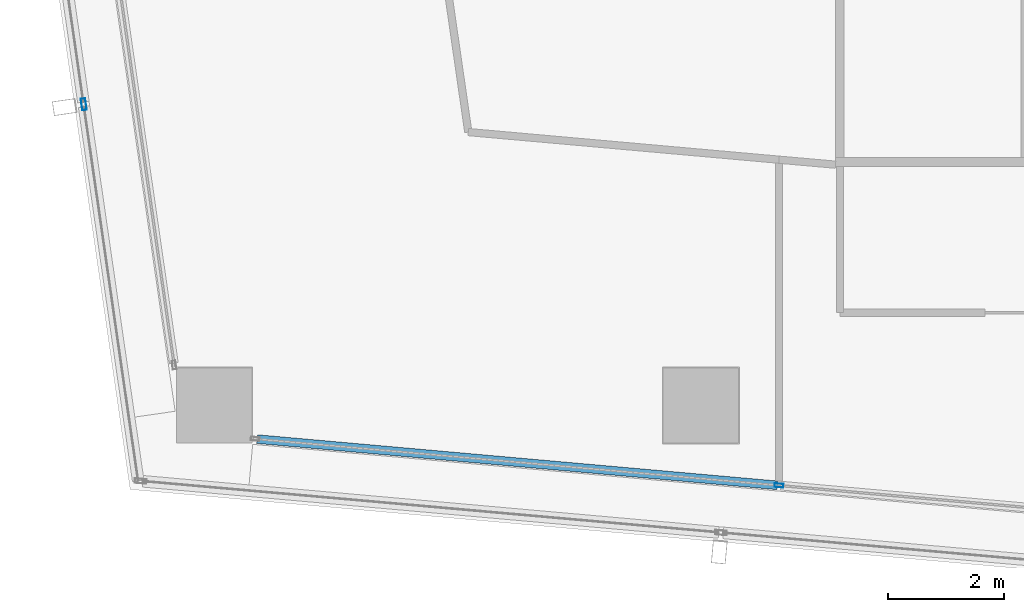
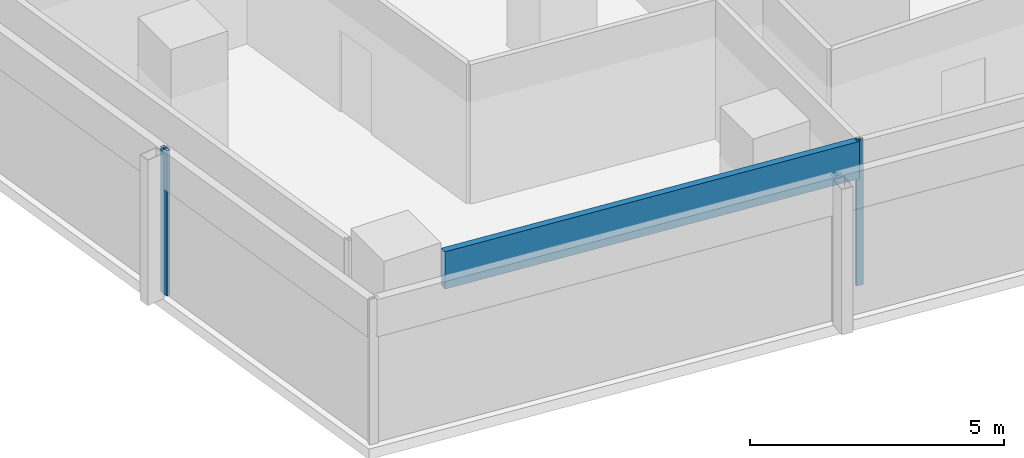
# One storey, part 3 of 29: 3 members, 2 elements without a shape of their own.
"""IFC4 building model written with IfcOpenShell, lengths in metres."""

import ifcopenshell
import ifcopenshell.guid

model = None  # the IFC model being written
_history = None  # IfcOwnerHistory: only IFC2X3 demands one
_inside = {}  # id of a spatial element -> (the spatial element, [elements in it])
_under = {}  # id of a project, library or spatial element -> (it, [spatial elements below it])
_declared = {}  # id of a project -> (the project, [libraries it declares])
_typed = {}  # id of a type object -> (the type object, [elements of that type])
_made_of = {}  # id of a material, layer set ... -> (it, [elements and type objects made of it])


def new_model(schema):
    """Start an empty IFC model of exactly this schema.

    Asked for "IFC4X3", IfcOpenShell would pick the latest addendum, in which some entities
    have other attributes; the version numbers below select the first issue.
    IFC2X3 requires an IfcOwnerHistory on every rooted entity: one is made here for all.
    """
    global model, _history
    if schema == "IFC4X3":
        model = ifcopenshell.file(schema_version=(4, 3, 0, 0))
    else:
        model = ifcopenshell.file(schema=schema)
    _inside.clear()
    _under.clear()
    _declared.clear()
    _typed.clear()
    _made_of.clear()
    _history = None
    if model.schema == "IFC2X3":
        org = make("IfcOrganization", Name="unknown")
        user = make(
            "IfcPersonAndOrganization",
            ThePerson=make("IfcPerson", FamilyName="unknown"),
            TheOrganization=org,
        )
        app = make(
            "IfcApplication",
            ApplicationDeveloper=org,
            Version="unknown",
            ApplicationFullName="unknown",
            ApplicationIdentifier="unknown",
        )
        _history = make(
            "IfcOwnerHistory",
            OwningUser=user,
            OwningApplication=app,
            ChangeAction="ADDED",
            CreationDate=0,
        )
    return model


def make(cls, **values):
    """One entity of the class cls with the attributes given. An attribute that is None is left unset."""
    return model.create_entity(
        cls, **{name: value for name, value in values.items() if value is not None}
    )


def rooted(cls, **values):
    """An entity with a GlobalId (a new one), such as an element, a storey or a relation."""
    return make(cls, GlobalId=ifcopenshell.guid.new(), OwnerHistory=_history, **values)


def si_unit(unit_type, name, prefix=None):
    """IfcSIUnit, for example si_unit("LENGTHUNIT", "METRE", prefix="MILLI")."""
    return make("IfcSIUnit", UnitType=unit_type, Prefix=prefix, Name=name)


def assignment(units):
    """IfcUnitAssignment: the units of a project."""
    return None if units is None else make("IfcUnitAssignment", Units=units)


def point(xyz):
    """IfcCartesianPoint."""
    return None if xyz is None else make("IfcCartesianPoint", Coordinates=xyz)


def direction(xyz):
    """IfcDirection."""
    return None if xyz is None else make("IfcDirection", DirectionRatios=xyz)


def frame(location, z_axis=None, x_axis=None):
    """IfcAxis2Placement3D, a coordinate frame: its origin and axes. An axis left out is left unset."""
    return make(
        "IfcAxis2Placement3D",
        Location=point(location),
        Axis=direction(z_axis),
        RefDirection=direction(x_axis),
    )


def frame_2d(location, x_axis=None):
    """IfcAxis2Placement2D, a coordinate frame in the plane: its origin and x axis."""
    return make(
        "IfcAxis2Placement2D", Location=point(location), RefDirection=direction(x_axis)
    )


def origin():
    """The frame at (0, 0, 0) with its axes left unset."""
    return frame((0.0, 0.0, 0.0))


def origin_2d():
    """The frame at (0, 0) in the plane with its x axis left unset."""
    return frame_2d((0.0, 0.0))


def place(relative_to, where):
    """IfcLocalPlacement: puts the frame where relative to a parent placement (None: the world)."""
    return make(
        "IfcLocalPlacement", PlacementRelTo=relative_to, RelativePlacement=where
    )


def context(
    kind, dimensions, precision=None, world=None, true_north=None, identifier=None
):
    """IfcGeometricRepresentationContext, for example the 3D "Model" context."""
    return make(
        "IfcGeometricRepresentationContext",
        ContextIdentifier=identifier,
        ContextType=kind,
        CoordinateSpaceDimension=dimensions,
        Precision=precision,
        WorldCoordinateSystem=world,
        TrueNorth=true_north,
    )


def subcontext(parent, identifier, kind, view, scale=None):
    """IfcGeometricRepresentationSubContext, for example "Body" below "Model"."""
    return make(
        "IfcGeometricRepresentationSubContext",
        ContextIdentifier=identifier,
        ContextType=kind,
        ParentContext=parent,
        TargetScale=scale,
        TargetView=view,
    )


def project(units=None, contexts=None):
    """IfcProject with its units and contexts."""
    return rooted(
        "IfcProject",
        Name="project",
        RepresentationContexts=contexts,
        UnitsInContext=assignment(units),
    )


def spatial(cls, under=None, at=None, **own):
    """A site, building, storey or space (cls), placed at a placement, below another one or the project."""
    s = rooted(cls, ObjectPlacement=at, **own)
    if under is not None:
        _under.setdefault(under.id(), (under, []))[1].append(s)
    return s


def profile(cls, at=None, kind="AREA", **sizes):
    """A parametric profile (cls). Its sizes go by their IFC names, for example OverallWidth=200.0."""
    return make(cls, ProfileType=kind, Position=at, **sizes)


def hollow_rectangle(**sizes):
    """IfcRectangleHollowProfileDef."""
    return profile("IfcRectangleHollowProfileDef", **sizes)


def extrude(swept, where, along, depth):
    """IfcExtrudedAreaSolid: the profile swept, set in the frame where, extruded along a direction by depth."""
    return make(
        "IfcExtrudedAreaSolid",
        SweptArea=swept,
        Position=where,
        ExtrudedDirection=direction(along),
        Depth=depth,
    )


def shape(context_of_items, identifier, shape_type, items):
    """IfcShapeRepresentation: the items that make up one representation, for example the "Body"."""
    return make(
        "IfcShapeRepresentation",
        ContextOfItems=context_of_items,
        RepresentationIdentifier=identifier,
        RepresentationType=shape_type,
        Items=items,
    )


def material(Name=None, Category=None):
    """IfcMaterial."""
    return make("IfcMaterial", Name=Name, Category=Category)


def material_profile(
    of_material, cross_section, Name=None, Category=None, Priority=None
):
    """IfcMaterialProfile: a cross section and its material."""
    return make(
        "IfcMaterialProfile",
        Name=Name,
        Material=of_material,
        Profile=cross_section,
        Priority=Priority,
        Category=Category,
    )


def profile_set(profiles, Name=None, composite=None):
    """IfcMaterialProfileSet."""
    return make(
        "IfcMaterialProfileSet",
        Name=Name,
        MaterialProfiles=profiles,
        CompositeProfile=composite,
    )


def made_of(thing, what):
    """Note that an element or type object is made of a material, layer set ...; save() writes the relation."""
    if what is not None:
        _made_of.setdefault(what.id(), (what, []))[1].append(thing)
    return thing


def type_object(cls, material=None, **own):
    """A type object (cls), such as IfcWallType, which elements share."""
    return made_of(rooted(cls, **own), material)


def element(
    cls,
    number,
    at=None,
    inside=None,
    cuts=None,
    type_object=None,
    material=None,
    context=None,
    identifier="Body",
    shape_type=None,
    held_by="IfcProductDefinitionShape",
    body=None,
    shapes=None,
    **own,
):
    """One element of the class cls, such as IfcWall. Its Tag is "e" and its number.

    at: its placement. inside: the storey or other place that contains it. cuts: it is an
    opening in that element (IfcRelVoidsElement). A single representation is given by context,
    identifier, shape_type and body (its items); several are given by shapes. held_by: the class
    of the entity that holds the representations. save() writes the other relations.
    """
    e = rooted(cls, Tag="e%d" % number, ObjectPlacement=at, **own)
    if body is not None:
        shapes = [shape(context, identifier, shape_type, body)]
    if shapes is not None:
        e.Representation = make(held_by, Representations=shapes)
    if inside is not None:
        _inside.setdefault(inside.id(), (inside, []))[1].append(e)
    if cuts is not None:
        rooted(
            "IfcRelVoidsElement", RelatingBuildingElement=cuts, RelatedOpeningElement=e
        )
    if type_object is not None:
        _typed.setdefault(type_object.id(), (type_object, []))[1].append(e)
    return made_of(e, material)


def aggregate(whole, parts):
    """IfcRelAggregates: a whole, such as a stair, and the parts it consists of."""
    return rooted("IfcRelAggregates", RelatingObject=whole, RelatedObjects=parts)


def save(model, path):
    """Write the relations noted so far, then the file.

    IfcRelAggregates (storeys below a building ...), IfcRelContainedInSpatialStructure (elements
    in a storey), IfcRelDefinesByType, IfcRelAssociatesMaterial and IfcRelDeclares: one each for
    every whole, place, type object, material and project.
    """
    for whole, parts in _under.values():
        aggregate(whole, parts)
    for where, things in _inside.values():
        rooted(
            "IfcRelContainedInSpatialStructure",
            RelatedElements=things,
            RelatingStructure=where,
        )
    for kind, things in _typed.values():
        rooted("IfcRelDefinesByType", RelatedObjects=things, RelatingType=kind)
    for what, things in _made_of.values():
        rooted("IfcRelAssociatesMaterial", RelatedObjects=things, RelatingMaterial=what)
    for by, libraries in _declared.values():
        rooted("IfcRelDeclares", RelatingContext=by, RelatedDefinitions=libraries)
    model.write(path)


model = new_model("IFC4")

# Units and contexts
model_context = context("Model", 3, precision=1e-05, world=origin(), true_north=direction((0.0, 1.0)))
body_context = subcontext(model_context, "Body", "Model", "MODEL_VIEW")
ifc_project = project(units=[si_unit("LENGTHUNIT", "METRE"), si_unit("AREAUNIT", "SQUARE_METRE"), si_unit("VOLUMEUNIT", "CUBIC_METRE"), si_unit("PLANEANGLEUNIT", "RADIAN"), si_unit("MASSUNIT", "GRAM", prefix="KILO")], contexts=[model_context])

# Site, building, storey
site_placement = place(None, origin())
site = spatial("IfcSite", under=ifc_project, at=site_placement, CompositionType="ELEMENT")
building_placement = place(site_placement, origin())
building = spatial("IfcBuilding", under=site, at=building_placement, Name="Rekha Terrace Tower", CompositionType="ELEMENT")
storey_placement = place(building_placement, frame((0.0, 0.0, 280.10009765625)))
storey = spatial("IfcBuildingStorey", under=building, at=storey_placement, Name="L71", CompositionType="ELEMENT", Elevation=280.10009765625)

# Curtain wall, members
ifc_material_1 = material(Name="Aluminium framing", Category="aluminium")
curtain_wall_type_1 = type_object("IfcCurtainWallType", Name="CW1 double skin inner glazing", PredefinedType="USERDEFINED", material=ifc_material_1)
curtain_wall_1_placement = place(storey_placement, origin())
curtain_wall_1 = element("IfcCurtainWall", 1, at=curtain_wall_1_placement, inside=storey, type_object=curtain_wall_type_1, Name="CW1 double skin inner glazing", ObjectType="DOUBLE SKIN INNER GLAZING", PredefinedType="USERDEFINED")
ifc_material_2 = material(Name="Aluminium mullion section", Category="aluminium")
ifc_material_profile_1 = material_profile(ifc_material_2, hollow_rectangle(XDim=0.06494140625, YDim=0.14990234375, WallThickness=0.00390625, at=origin_2d()), Name="AL RHS 65x150")
ifc_profile_set_1 = profile_set([ifc_material_profile_1], Name="Aluminium mullion section")
member_type_1 = type_object("IfcMemberType", Name="CW1 mullion RHS 65 x 150", PredefinedType="MULLION", material=ifc_profile_set_1)
member_1_placement = place(storey_placement, frame((18.1494140625, 15.4189453125, 0.0), z_axis=(0.0, 0.0, 1.0), x_axis=(0.088522441405, 0.996074182663, 0.0)))
member_1 = element("IfcMember", 2, at=member_1_placement, type_object=member_type_1, Name="CW1 mullion 2", PredefinedType="MULLION", context=body_context, shape_type="SweptSolid", body=[
    extrude(hollow_rectangle(XDim=0.06494140625, YDim=0.14990234375, WallThickness=0.00390625, at=origin_2d()), origin(), (0.0, 0.0, 1.0), 3.5),
])
ifc_material_3 = material(Name="Insulated aluminium spandrel box", Category="aluminium")
ifc_material_profile_2 = material_profile(ifc_material_3, hollow_rectangle(XDim=0.14990234375, YDim=0.89990234375, WallThickness=0.0029296875, at=origin_2d()), Name="AL SPANDREL BOX 150x900")
ifc_profile_set_2 = profile_set([ifc_material_profile_2], Name="Insulated aluminium spandrel box")
member_type_2 = type_object("IfcMemberType", Name="CW1 spandrel transom 150 x 900", PredefinedType="USERDEFINED", material=ifc_profile_set_2)
member_2_placement = place(storey_placement, frame((9.1416015625, 16.219482421875, 3.0498046875), z_axis=(0.996072428294, -0.088542179732, 0.0), x_axis=(0.088542179732, 0.996072428294, 0.0)))
member_2 = element("IfcMember", 3, at=member_2_placement, type_object=member_type_2, Name="CW1 spandrel transom 1", ObjectType="TRANSOM", PredefinedType="USERDEFINED", context=body_context, shape_type="SweptSolid", body=[
    extrude(hollow_rectangle(XDim=0.14990234375, YDim=0.89990234375, WallThickness=0.0029296875, at=origin_2d()), origin(), (0.0, 0.0, 1.0), 9.010986328125),
])
aggregate(curtain_wall_1, [member_1, member_2])

# Curtain wall, member
curtain_wall_type_2 = type_object("IfcCurtainWallType", Name="CW2 double skin outer glazing", PredefinedType="USERDEFINED", material=ifc_material_1)
curtain_wall_2_placement = place(storey_placement, origin())
curtain_wall_2 = element("IfcCurtainWall", 4, at=curtain_wall_2_placement, inside=storey, type_object=curtain_wall_type_2, Name="CW2 double skin outer glazing", ObjectType="DOUBLE SKIN OUTER GLAZING", PredefinedType="USERDEFINED")
ifc_material_profile_3 = material_profile(ifc_material_2, hollow_rectangle(XDim=0.080078125, YDim=0.199951171875, WallThickness=0.00390625, at=origin_2d()), Name="AL RHS 80x200")
ifc_profile_set_3 = profile_set([ifc_material_profile_3], Name="Aluminium mullion section")
member_type_3 = type_object("IfcMemberType", Name="CW2 mullion RHS 80 x 200", PredefinedType="MULLION", material=ifc_profile_set_3)
member_3_placement = place(storey_placement, frame((6.150634765625, 21.99658203125, 0.0), z_axis=(0.0, 0.0, 1.0), x_axis=(0.989707031389, 0.143108322678, 0.0)))
member_3 = element("IfcMember", 5, at=member_3_placement, type_object=member_type_3, Name="CW2 mullion 2", PredefinedType="MULLION", context=body_context, shape_type="SweptSolid", body=[
    extrude(hollow_rectangle(XDim=0.080078125, YDim=0.199951171875, WallThickness=0.00390625, at=origin_2d()), origin(), (0.0, 0.0, 1.0), 3.5),
])
aggregate(curtain_wall_2, [member_3])

save(model, "model.ifc")
